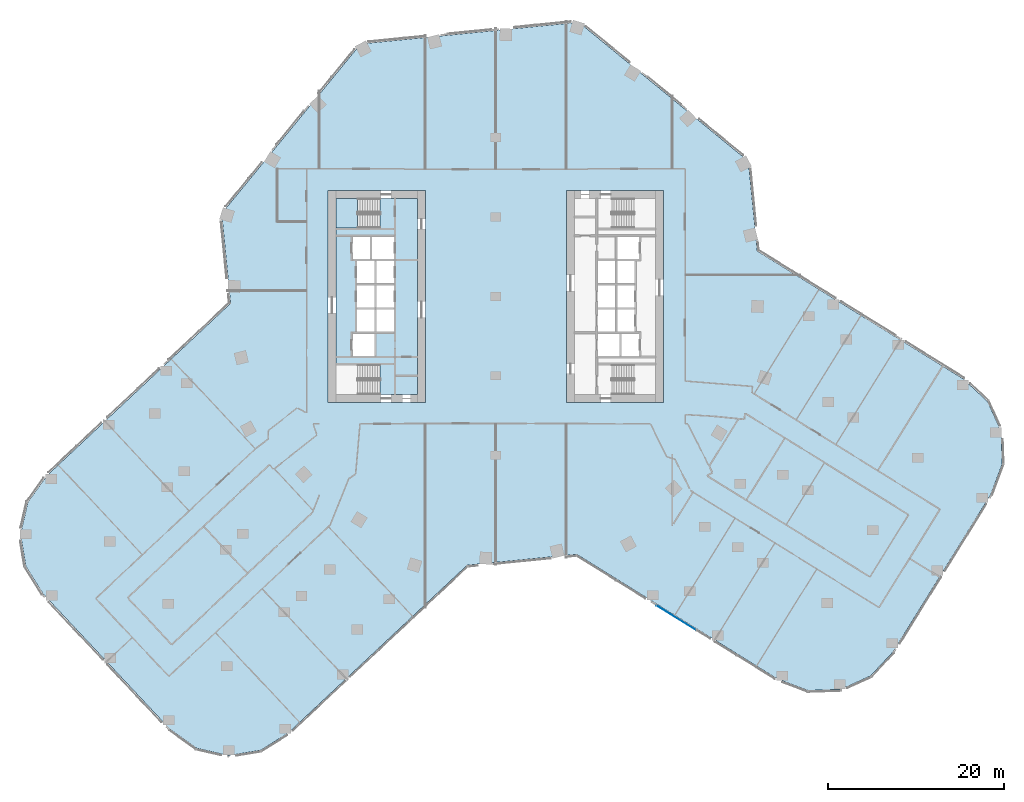
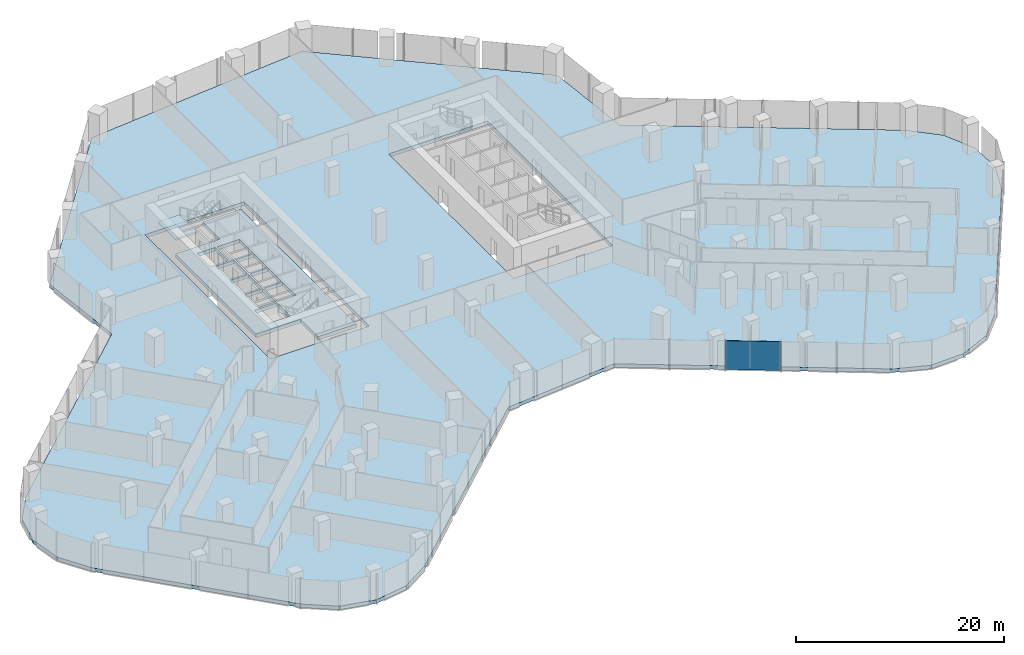
# One storey, part 20 of 34: 3 slabs, 1 plate, 2 elements without a shape of their own.
"""IFC4 building model written with IfcOpenShell, lengths in metres."""

from ifc_helpers import new_model, si_unit, direction, frame, origin, origin_2d, place, context, subcontext, project, spatial, polyline, rectangle, outline, extrude, material, layer, layer_set, type_object, element, aggregate, save


model = new_model("IFC4")

# Units and contexts
model_context = context("Model", 3, precision=1e-05, world=origin(), true_north=direction((0.0, 1.0)))
body_context = subcontext(model_context, "Body", "Model", "MODEL_VIEW")
ifc_project = project(units=[si_unit("LENGTHUNIT", "METRE"), si_unit("AREAUNIT", "SQUARE_METRE"), si_unit("VOLUMEUNIT", "CUBIC_METRE"), si_unit("PLANEANGLEUNIT", "RADIAN"), si_unit("MASSUNIT", "GRAM", prefix="KILO")], contexts=[model_context])

# Site, building, storey
site_placement = place(None, origin())
site = spatial("IfcSite", under=ifc_project, at=site_placement, CompositionType="ELEMENT")
building_placement = place(site_placement, origin())
building = spatial("IfcBuilding", under=site, at=building_placement, Name="Orlundy Tower", CompositionType="ELEMENT")
storey_placement = place(building_placement, frame((0.0, 0.0, 44.300048828125)))
storey = spatial("IfcBuildingStorey", under=building, at=storey_placement, Name="L09", CompositionType="ELEMENT", Elevation=44.300048828125)

# Curtain wall, plate
ifc_material_1 = material(Name="Aluminium bronze anodised", Category="aluminium")
curtain_wall_type = type_object("IfcCurtainWallType", Name="CW1 wall", PredefinedType="NOTDEFINED", material=ifc_material_1)
curtain_wall_placement = place(storey_placement, origin())
curtain_wall = element("IfcCurtainWall", 1, at=curtain_wall_placement, inside=storey, type_object=curtain_wall_type, Name="CW1 run 016", PredefinedType="NOTDEFINED")
ifc_material_2 = material(Name="Tinted glass", Category="glass")
ifc_layer_1 = layer(ifc_material_2, 0.031982421875)
ifc_layer_set_1 = layer_set([ifc_layer_1], Name="CW1 glass panel 32")
plate_type = type_object("IfcPlateType", Name="CW1 glass panel 32", PredefinedType="CURTAIN_PANEL", material=ifc_layer_set_1)
plate_placement = place(storey_placement, frame((20.466064453125, -36.43994140625, -0.300048828125), z_axis=(0.0, 0.0, 1.0), x_axis=(-0.849586512969, 0.52744929328, 0.0)))
plate = element("IfcPlate", 2, at=plate_placement, type_object=plate_type, Name="CW1 panel", PredefinedType="CURTAIN_PANEL", context=body_context, shape_type="SweptSolid", body=[
    extrude(rectangle(XDim=5.306640625, YDim=0.031982421875, at=origin_2d()), origin(), (0.0, 0.0, 1.0), 3.3798828125),
])
aggregate(curtain_wall, [plate])

# Slab
ifc_material_3 = material(Name="Concrete C50/60", Category="concrete")
ifc_layer_2 = layer(ifc_material_3, 0.419921875)
ifc_layer_set_2 = layer_set([ifc_layer_2], Name="Core Floor Slab 420")
slab_type_1 = type_object("IfcSlabType", Name="Core Floor Slab 420", PredefinedType="FLOOR", material=ifc_layer_set_2)
slab_1_placement = place(storey_placement, frame((0.0, 0.0, -0.420166015625)))
element("IfcSlab", 3, at=slab_1_placement, inside=storey, type_object=slab_type_1, Name="Core floor W09", PredefinedType="FLOOR", context=body_context, shape_type="SweptSolid", body=[
    extrude(outline(polyline([(-13.14501953125, 7.75), (-13.14501953125, 11.10009765625), (-8.89990234375, 11.10009765625), (-8.89990234375, -11.10009765625), (-13.14501953125, -11.10009765625), (-13.14501953125, -7.75), (-18.10009765625, -7.75), (-18.10009765625, 7.75), (-13.14501953125, 7.75)]), holes=[polyline([(-16.239990234375, -6.77490234375), (-13.739990234375, -6.77490234375), (-13.739990234375, -4.22509765625), (-16.239990234375, -4.22509765625), (-16.239990234375, -6.77490234375)]), polyline([(-13.5400390625, -1.47509765625), (-13.5400390625, -4.02490234375), (-11.5400390625, -4.02490234375), (-11.5400390625, -1.47509765625), (-13.5400390625, -1.47509765625)]), polyline([(-13.739990234375, -1.47509765625), (-15.739990234375, -1.47509765625), (-15.739990234375, -4.02490234375), (-13.739990234375, -4.02490234375), (-13.739990234375, -1.47509765625)]), polyline([(-11.5400390625, -1.27490234375), (-11.5400390625, 1.27490234375), (-13.5400390625, 1.27490234375), (-13.5400390625, -1.27490234375), (-11.5400390625, -1.27490234375)]), polyline([(-15.739990234375, -1.27490234375), (-13.739990234375, -1.27490234375), (-13.739990234375, 1.27490234375), (-15.739990234375, 1.27490234375), (-15.739990234375, -1.27490234375)]), polyline([(-13.5400390625, 4.02490234375), (-13.5400390625, 1.47509765625), (-11.5400390625, 1.47509765625), (-11.5400390625, 4.02490234375), (-13.5400390625, 4.02490234375)]), polyline([(-13.739990234375, 4.02490234375), (-15.739990234375, 4.02490234375), (-15.739990234375, 1.47509765625), (-13.739990234375, 1.47509765625), (-13.739990234375, 4.02490234375)]), polyline([(-11.5400390625, 4.22509765625), (-11.5400390625, 6.77490234375), (-14.0400390625, 6.77490234375), (-14.0400390625, 4.22509765625), (-11.5400390625, 4.22509765625)]), polyline([(-16.239990234375, 4.22509765625), (-14.239990234375, 4.22509765625), (-14.239990234375, 6.77490234375), (-16.239990234375, 6.77490234375), (-16.239990234375, 4.22509765625)])]), origin(), (0.0, 0.0, 1.0), 0.420166015625),
])

# Stair, slab
ifc_material_4 = material(Name="Concrete C50/60", Category="concrete")
stair_type = type_object("IfcStairType", Name="Exit Stair 20 risers", PredefinedType="HALF_TURN_STAIR", material=ifc_material_4)
stair_placement = place(storey_placement, origin())
stair = element("IfcStair", 4, at=stair_placement, inside=storey, type_object=stair_type, Name="L09 Exit Stair ST-W1", PredefinedType="HALF_TURN_STAIR")
ifc_material_5 = material(Name="Concrete C50/60", Category="concrete")
ifc_layer_3 = layer(ifc_material_5, 0.199951171875)
ifc_layer_set_3 = layer_set([ifc_layer_3], Name="Exit Stair Landing")
slab_type_2 = type_object("IfcSlabType", Name="Exit Stair Landing", PredefinedType="LANDING", material=ifc_layer_set_3)
slab_2_placement = place(storey_placement, frame((0.0, 0.0, 1.550048828125)))
slab_2 = element("IfcSlab", 5, at=slab_2_placement, type_object=slab_type_2, Name="ST-W1 landing 1", PredefinedType="LANDING", context=body_context, shape_type="SweptSolid", body=[
    extrude(outline(polyline([(-15.659912109375, 11.10009765625), (-18.10009765625, 11.10009765625), (-18.10009765625, 7.75), (-15.659912109375, 7.75), (-15.659912109375, 11.10009765625)])), origin(), (0.0, 0.0, 1.0), 0.199951171875),
])
aggregate(stair, [slab_2])

# Slab
ifc_material_6 = material(Name="Concrete C45/55", Category="concrete")
ifc_layer_4 = layer(ifc_material_6, 0.419921875)
ifc_layer_set_4 = layer_set([ifc_layer_4], Name="TRANSFER FLOOR SLAB 420 C45/55")
slab_type_3 = type_object("IfcSlabType", Name="TRANSFER FLOOR SLAB 420 C45/55", PredefinedType="FLOOR", material=ifc_layer_set_4)
slab_3_placement = place(storey_placement, frame((0.0, 0.0, -0.420166015625)))
element("IfcSlab", 6, at=slab_3_placement, inside=storey, type_object=slab_type_3, Name="Floor slab L09", PredefinedType="FLOOR", context=body_context, shape_type="SweptSolid", body=[
    extrude(outline(polyline([(-30.070068359375, -0.782958984375), (-31.080078125, 9.403076171875), (-15.327880859375, 28.6259765625), (9.403076171875, 31.080078125), (28.6259765625, 15.327880859375), (29.636962890625, 5.14111328125), (53.028076171875, -9.381103515625), (55.736083984375, -11.9130859375), (57.26806640625, -15.2880859375), (57.39208984375, -18.992919921875), (56.089111328125, -22.462890625), (45.011962890625, -40.303955078125), (42.47998046875, -43.010986328125), (39.10498046875, -44.54296875), (35.39990234375, -44.6669921875), (31.929931640625, -43.364013671875), (9.175048828125, -29.237060546875), (-3.25, -30.469970703125), (-23.514892578125, -49.47802734375), (-26.662109375, -51.43701171875), (-30.318115234375, -52.0439453125), (-33.928955078125, -51.205078125), (-36.943115234375, -49.048095703125), (-51.31005859375, -33.73095703125), (-53.27001953125, -30.5849609375), (-53.8759765625, -26.927978515625), (-53.037109375, -23.31689453125), (-50.8798828125, -20.302978515625), (-30.070068359375, -0.782958984375)]), holes=[polyline([(-8.0, -12.0), (-8.0, 12.0), (-19.0, 12.0), (-19.0, -12.0), (-8.0, -12.0)]), polyline([(19.0, -12.0), (19.0, 12.0), (8.0, 12.0), (8.0, -12.0), (19.0, -12.0)])]), origin(), (0.0, 0.0, 1.0), 0.420166015625),
])

save(model, "model.ifc")
